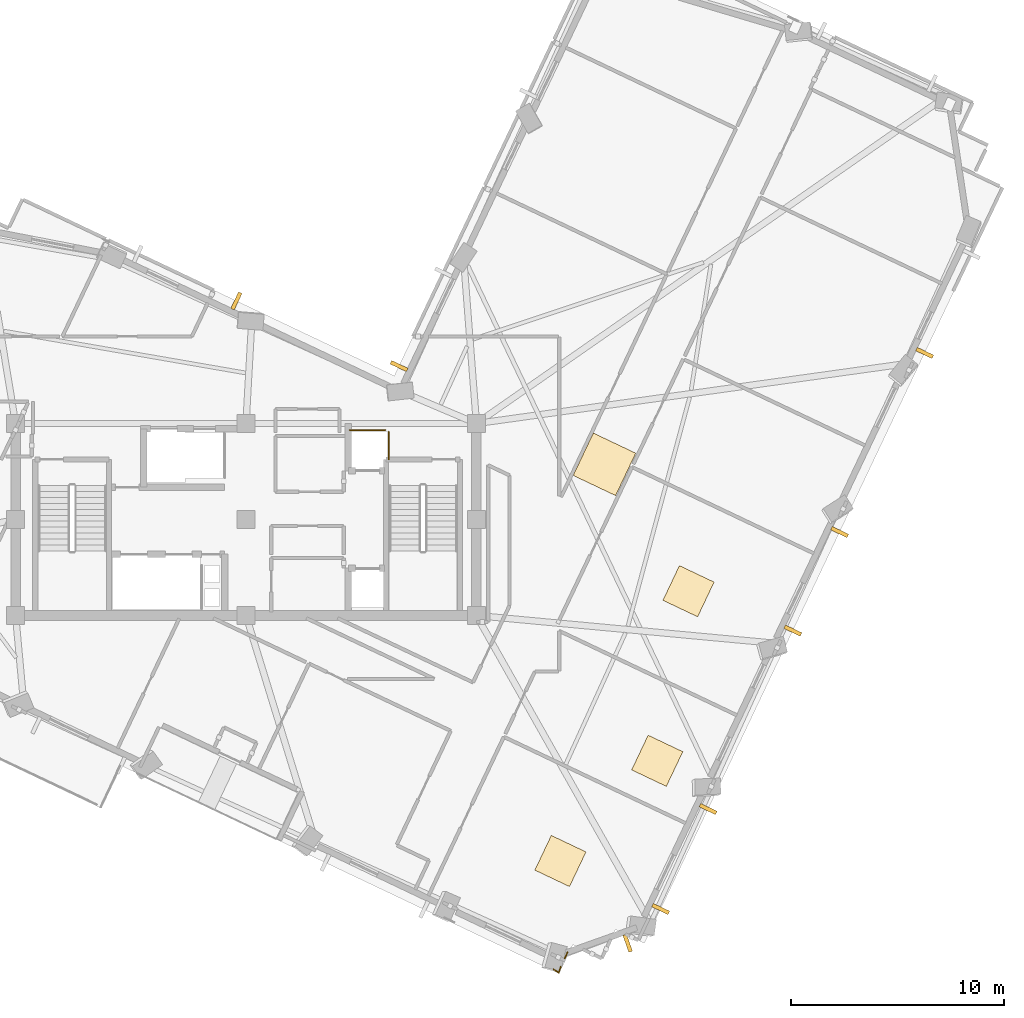
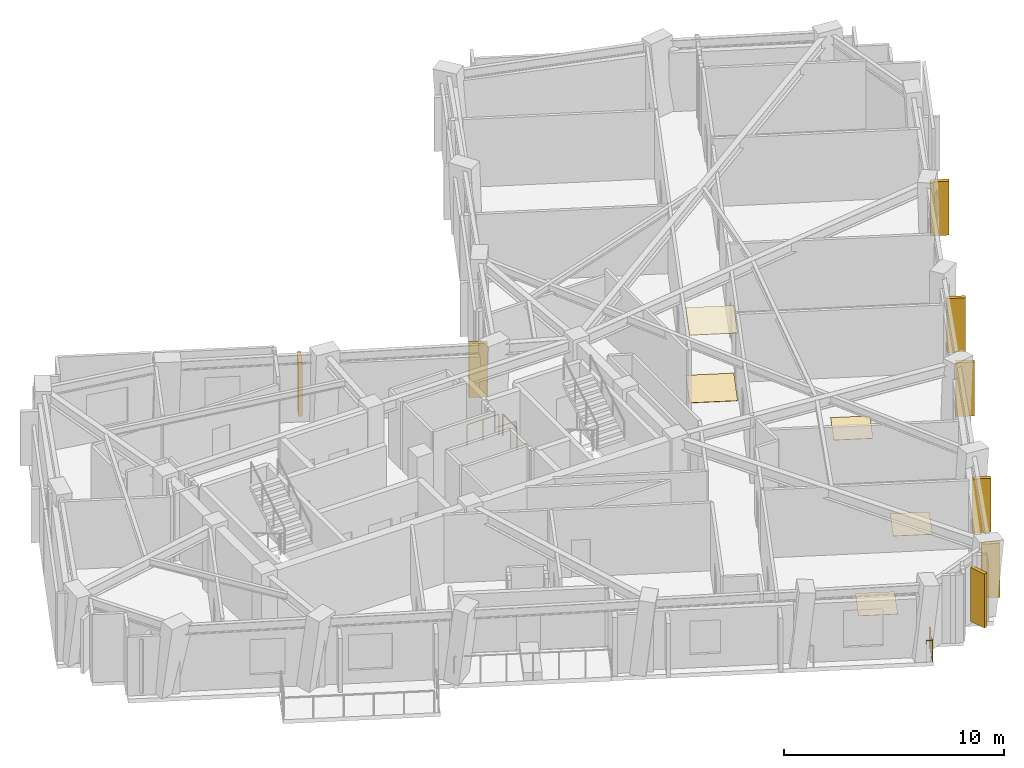
# One storey, part 11 of 13: 8 shading devices, 5 coverings, 4 railings.
"""IFC4 building model written with IfcOpenShell, lengths in metres."""

from ifc_helpers import new_model, si_unit, direction, frame, origin, origin_2d, place, context, subcontext, project, spatial, rectangle, circle, extrude, material, layer, layer_set, type_object, element, save


model = new_model("IFC4")

# Units and contexts
model_context = context("Model", 3, precision=1e-05, world=origin(), true_north=direction((0.0, 1.0)))
body_context = subcontext(model_context, "Body", "Model", "MODEL_VIEW")
ifc_project = project(units=[si_unit("LENGTHUNIT", "METRE"), si_unit("AREAUNIT", "SQUARE_METRE"), si_unit("VOLUMEUNIT", "CUBIC_METRE"), si_unit("PLANEANGLEUNIT", "RADIAN"), si_unit("MASSUNIT", "GRAM", prefix="KILO")], contexts=[model_context])

# Site, building, storey
site_placement = place(None, origin())
site = spatial("IfcSite", under=ifc_project, at=site_placement, CompositionType="ELEMENT")
building_placement = place(site_placement, origin())
building = spatial("IfcBuilding", under=site, at=building_placement, Name="Gaonmaruhae Medical Tower", CompositionType="ELEMENT")
storey_placement = place(building_placement, frame((0.0, 0.0, 300.60009765625)))
storey = spatial("IfcBuildingStorey", under=building, at=storey_placement, Name="L72", CompositionType="ELEMENT", Elevation=300.60009765625)

# Coverings
ifc_material_1 = material(Name="Acoustic mineral ceiling tile", Category="finish")
ifc_layer_1 = layer(ifc_material_1, 0.02490234375)
ifc_layer_set_1 = layer_set([ifc_layer_1], Name="Acoustic mineral ceiling tile")
covering_type_1 = type_object("IfcCoveringType", Name="CLG-01 Antimicrobial Acoustic Mineral Ceiling", PredefinedType="CEILING", material=ifc_layer_set_1)
covering_1_placement = place(storey_placement, frame((41.601318359375, 14.886962890625, 3.7548828125), z_axis=(0.0, 0.0, 1.0), x_axis=(0.428935133403, 0.903335292863, 0.0)))
element("IfcCovering", 1, at=covering_1_placement, inside=storey, type_object=covering_type_1, Name="L72 Clinical Corridor Acoustic Ceiling", PredefinedType="CEILING", context=body_context, shape_type="SweptSolid", body=[
    extrude(rectangle(XDim=2.199951171875, YDim=2.199951171875, at=origin_2d()), origin(), (0.0, 0.0, 1.0), 0.02490234375),
])
ifc_material_2 = material(Name="Seamless clinical vinyl flooring", Category="finish")
ifc_layer_2 = layer(ifc_material_2, 0.014892578125)
ifc_layer_set_2 = layer_set([ifc_layer_2], Name="Seamless clinical vinyl flooring")
covering_type_2 = type_object("IfcCoveringType", Name="FLR-01 Seamless Clinical Antistatic Vinyl Flooring", PredefinedType="FLOORING", material=ifc_layer_set_2)
covering_2_placement = place(storey_placement, frame((41.601318359375, 14.886962890625, 0.00048828125), z_axis=(0.0, 0.0, 1.0), x_axis=(0.428935133403, 0.903335292863, 0.0)))
element("IfcCovering", 2, at=covering_2_placement, inside=storey, type_object=covering_type_2, Name="L72 Clinical Corridor Vinyl Flooring", PredefinedType="FLOORING", context=body_context, shape_type="SweptSolid", body=[
    extrude(rectangle(XDim=2.199951171875, YDim=2.199951171875, at=origin_2d()), origin(), (0.0, 0.0, 1.0), 0.014892578125),
])
for number, where, z_axis, x_axis, name in (
    (3, (39.5361328125, -3.706787109375, 0.0), (0.0, 0.0, 1.0), (0.428935133403, 0.903335292863, 0.0), "L72 Clinical Room Vinyl Flooring 2"),
    (4, (44.073974609375, 0.99072265625, 0.0), (0.0, 0.0, 1.0), (0.428935133403, 0.903335292863, 0.0), "L72 Clinical Room Vinyl Flooring 3"),
    (5, (45.541259765625, 8.939697265625, 0.0), (0.0, 0.0, 1.0), (0.428935133403, 0.903335292863, 0.0), "L72 Clinical Room Vinyl Flooring 4"),
):
    element("IfcCovering", number, at=place(storey_placement, frame(where, z_axis=z_axis, x_axis=x_axis)), inside=storey, type_object=covering_type_2, Name=name, PredefinedType="FLOORING", context=body_context, shape_type="SweptSolid", body=[
        extrude(rectangle(XDim=1.800048828125, YDim=1.800048828125, at=origin_2d()), origin(), (0.0, 0.0, 1.0), 0.014892578125),
    ])

# Railings
ifc_material_3 = material(Name="Stainless steel 316L and laminated safety glass", Category="steel")
ifc_layer_3 = layer(ifc_material_3, 0.080078125)
ifc_layer_set_3 = layer_set([ifc_layer_3], Name="Stainless steel 316L and laminated safety glass")
railing_type_1 = type_object("IfcRailingType", Name="GD-120 Outdoor Terrace Safety Glass & Steel Balustrade", PredefinedType="BALUSTRADE", material=ifc_layer_set_3)
railing_1_placement = place(storey_placement, frame((39.8759765625, -7.980712890625, 0.0)))
element("IfcRailing", 6, at=railing_1_placement, inside=storey, type_object=railing_type_1, Name="L72 Perimeter Slab Edge Safety Balustrade 04", PredefinedType="BALUSTRADE", context=body_context, shape_type="SweptSolid", body=[
    extrude(circle(Radius=0.02392578125, at=origin_2d()), frame((0.0, 0.0, 1.17578125), z_axis=(-0.428889155365, -0.903357123407, 0.0), x_axis=(0.903357123407, -0.428889155365, 0.0)), (0.0, 0.0, 1.0), 0.32666015625),
    extrude(circle(Radius=0.02099609375, at=origin_2d()), origin(), (0.0, 0.0, 1.0), 1.15185546875),
    extrude(circle(Radius=0.02099609375, at=origin_2d()), frame((-0.14013671875, -0.295166015625, 0.0)), (0.0, 0.0, 1.0), 1.15185546875),
])
railing_2_placement = place(storey_placement, frame((39.5498046875, -8.667236328125, 0.0)))
element("IfcRailing", 7, at=railing_2_placement, inside=storey, type_object=railing_type_1, Name="L72 Perimeter Corner Safety Balustrade 09", PredefinedType="BALUSTRADE", context=body_context, shape_type="SweptSolid", body=[
    extrude(circle(Radius=0.02392578125, at=origin_2d()), frame((0.0, 0.0, 1.17578125), z_axis=(-0.315462390485, -0.948938080272, 0.0), x_axis=(0.948938080272, -0.315462390485, 0.0)), (0.0, 0.0, 1.0), 0.287109375),
    extrude(circle(Radius=0.02392578125, at=origin_2d()), frame((-0.090576171875, -0.2724609375, 1.17578125), z_axis=(-0.844395997763, 0.535719515197, 0.0), x_axis=(-0.535719515197, -0.844395997763, 0.0)), (0.0, 0.0, 1.0), 0.287109375),
    extrude(circle(Radius=0.02099609375, at=origin_2d()), origin(), (0.0, 0.0, 1.0), 1.15185546875),
    extrude(circle(Radius=0.02099609375, at=origin_2d()), frame((-0.090576171875, -0.2724609375, 0.0)), (0.0, 0.0, 1.0), 1.15185546875),
    extrude(circle(Radius=0.02099609375, at=origin_2d()), frame((-0.3330078125, -0.11865234375, 0.0)), (0.0, 0.0, 1.0), 1.15185546875),
])

# Shading devices
ifc_material_4 = material(Name="Pigmented coral precast concrete C45/55", Category="concrete")
shading_device_type = type_object("IfcShadingDeviceType", Name="SD-FIN1 Tower Vertical Coral Precast Shading Fin", PredefinedType="USERDEFINED", material=ifc_material_4)
for number, where, z_axis, x_axis, name in (
    (8, (46.455078125, -1.27001953125, 0.13232421875), (0.0, 0.0, 1.0), (-0.428935133403, -0.903335292863, 0.0), "L72 Vertical Coral Precast Shading Fin S01"),
    (9, (44.231201171875, -5.95361328125, 0.13232421875), (0.0, 0.0, 1.0), (-0.428935133403, -0.903335292863, 0.0), "L72 Vertical Coral Precast Shading Fin S01B"),
    (10, (52.62060546875, 11.714111328125, 0.13232421875), (0.0, 0.0, 1.0), (-0.428935133403, -0.903335292863, 0.0), "L72 Vertical Coral Precast Shading Fin S03"),
    (11, (50.42724609375, 7.094970703125, 0.13232421875), (0.0, 0.0, 1.0), (-0.428935133403, -0.903335292863, 0.0), "L72 Vertical Coral Precast Shading Fin S03B"),
    (12, (56.6064453125, 20.108154296875, 0.13232421875), (0.0, 0.0, 1.0), (-0.428919367163, -0.903342779056, 0.0), "L72 Vertical Coral Precast Shading Fin S05B"),
    (13, (31.970458984375, 19.4912109375, 0.13232421875), (0.0, 0.0, 1.0), (0.428935133403, 0.903335292863, 0.0), "L72 Vertical Coral Precast Shading Fin EN02"),
    (14, (24.34912109375, 22.544921875, 0.13232421875), (0.0, 0.0, 1.0), (0.903335292863, -0.428935133403, 0.0), "L72 Vertical Coral Precast Shading Fin NE01B"),
    (15, (42.68701171875, -7.55810546875, 0.13232421875), (0.0, 0.0, 1.0), (-0.942051597909, -0.335468011703, 0.0), "L72 Vertical Coral Precast Shading Fin W06"),
):
    element("IfcShadingDevice", number, at=place(storey_placement, frame(where, z_axis=z_axis, x_axis=x_axis)), inside=storey, type_object=shading_device_type, Name=name, ObjectType="FIN", PredefinedType="USERDEFINED", context=body_context, shape_type="SweptSolid", body=[
        extrude(rectangle(XDim=0.179931640625, YDim=0.85009765625, at=origin_2d()), origin(), (0.0, 0.0, 1.0), 3.0),
    ])

# Railings
ifc_material_5 = material(Name="Stainless steel 304 balustrade", Category="steel")
railing_type_2 = type_object("IfcRailingType", Name="SG-112 Stair Well & Ramp Void Safety Balustrade", PredefinedType="BALUSTRADE", material=ifc_material_5)
railing_3_placement = place(storey_placement, frame((31.4951171875, 16.405029296875, 0.0)))
element("IfcRailing", 16, at=railing_3_placement, inside=storey, type_object=railing_type_2, Name="L72 Shaft Edge Safety Guard 12", PredefinedType="BALUSTRADE", context=body_context, shape_type="SweptSolid", body=[
    extrude(circle(Radius=0.02392578125, at=origin_2d()), frame((0.0, 0.0, 1.17578125), z_axis=(0.0, -1.0, 0.0), x_axis=(1.0, 0.0, 0.0)), (0.0, 0.0, 1.0), 1.284912109375),
    extrude(circle(Radius=0.02099609375, at=origin_2d()), origin(), (0.0, 0.0, 1.0), 1.15185546875),
    extrude(circle(Radius=0.02099609375, at=origin_2d()), frame((0.0, -1.284912109375, 0.0)), (0.0, 0.0, 1.0), 1.15185546875),
])
railing_4_placement = place(storey_placement, frame((29.6630859375, 16.4951171875, 0.0)))
element("IfcRailing", 17, at=railing_4_placement, inside=storey, type_object=railing_type_2, Name="L72 Shaft Edge Safety Guard 13", PredefinedType="BALUSTRADE", context=body_context, shape_type="SweptSolid", body=[
    extrude(circle(Radius=0.02392578125, at=origin_2d()), frame((0.0, 0.0, 1.17578125), z_axis=(1.0, 0.0, 0.0), x_axis=(0.0, 1.0, 0.0)), (0.0, 0.0, 1.0), 1.673828125),
    extrude(circle(Radius=0.02099609375, at=origin_2d()), origin(), (0.0, 0.0, 1.0), 1.15185546875),
    extrude(circle(Radius=0.02099609375, at=origin_2d()), frame((0.8369140625, 0.0, 0.0)), (0.0, 0.0, 1.0), 1.15185546875),
    extrude(circle(Radius=0.02099609375, at=origin_2d()), frame((1.673828125, 0.0, 0.0)), (0.0, 0.0, 1.0), 1.15185546875),
])

save(model, "model.ifc")
